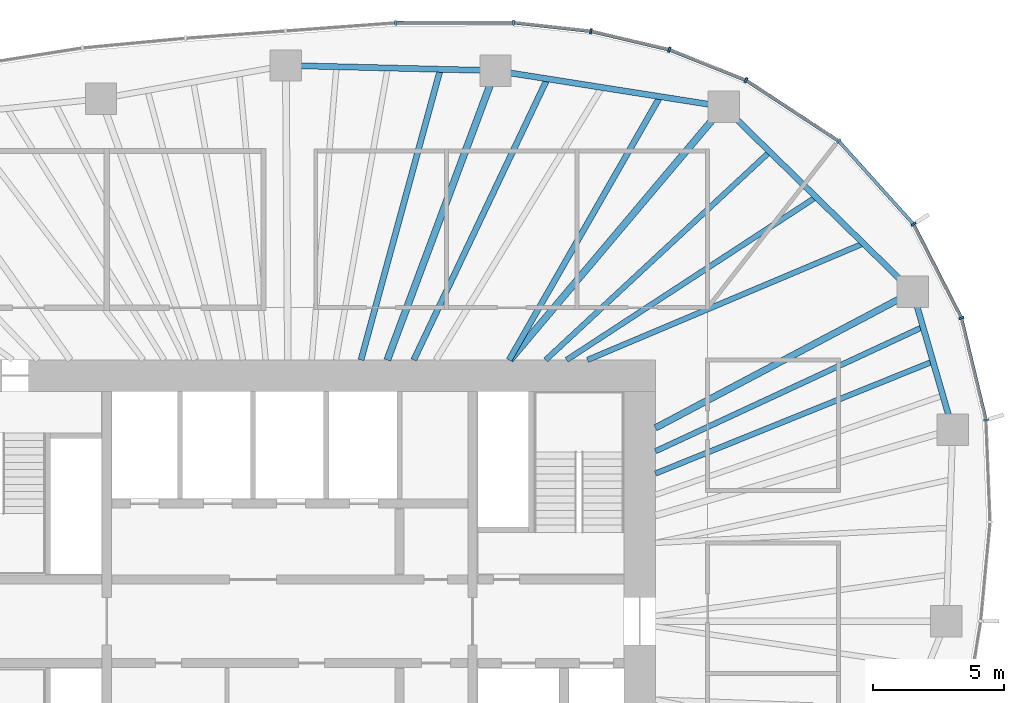
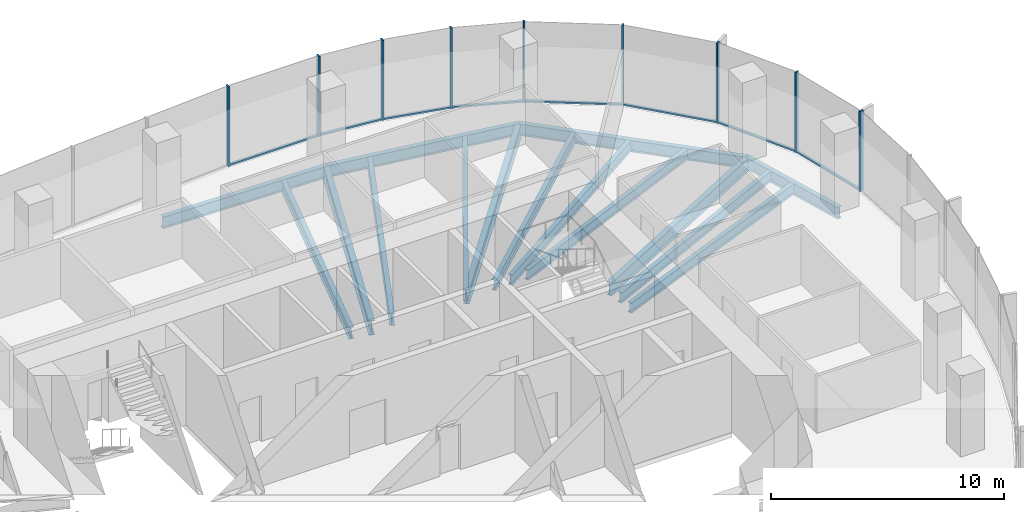
# One storey, part 6 of 11: 17 members, 15 beams, 4 elements without a shape of their own.
"""IFC4 building model written with IfcOpenShell, lengths in metres."""

from ifc_helpers import new_model, si_unit, direction, frame, origin, origin_2d, place, context, subcontext, project, spatial, rectangle, i_section, extrude, material, material_profile, profile_set, type_object, element, aggregate, save


model = new_model("IFC4")

# Units and contexts
model_context = context("Model", 3, precision=1e-05, world=origin(), true_north=direction((0.0, 1.0)))
body_context = subcontext(model_context, "Body", "Model", "MODEL_VIEW")
ifc_project = project(units=[si_unit("LENGTHUNIT", "METRE"), si_unit("AREAUNIT", "SQUARE_METRE"), si_unit("VOLUMEUNIT", "CUBIC_METRE"), si_unit("PLANEANGLEUNIT", "RADIAN"), si_unit("MASSUNIT", "GRAM", prefix="KILO")], contexts=[model_context])

# Site, building, storey
site_placement = place(None, origin())
site = spatial("IfcSite", under=ifc_project, at=site_placement, CompositionType="ELEMENT")
building_placement = place(site_placement, origin())
building = spatial("IfcBuilding", under=site, at=building_placement, Name="Ghaith Harvest Tower", CompositionType="ELEMENT")
storey_placement = place(building_placement, frame((0.0, 0.0, 245.199951171875)))
storey = spatial("IfcBuildingStorey", under=building, at=storey_placement, Name="L54", CompositionType="ELEMENT", Elevation=245.199951171875)

# Curtain wall, members
ifc_material_1 = material(Name="Black anodised aluminium and fritted glass", Category="aluminium")
curtain_wall_type = type_object("IfcCurtainWallType", Name="CW-H CURTAIN WALL", PredefinedType="NOTDEFINED", material=ifc_material_1)
curtain_wall_1_placement = place(storey_placement, origin())
curtain_wall_1 = element("IfcCurtainWall", 1, at=curtain_wall_1_placement, inside=storey, type_object=curtain_wall_type, Name="Curtain wall CW-H bay 02 L54", PredefinedType="NOTDEFINED")
ifc_material_2 = material(Name="Aluminium, black anodised", Category="aluminium")
ifc_material_profile_1 = material_profile(ifc_material_2, rectangle(XDim=0.080078125, YDim=0.199951171875, at=origin_2d()), Name="CW-H MULLION 80x200")
ifc_profile_set_1 = profile_set([ifc_material_profile_1], Name="Aluminium, black anodised")
member_type_1 = type_object("IfcMemberType", Name="CW-H MULLION 80x200", PredefinedType="MULLION", material=ifc_profile_set_1)
member_1_placement = place(storey_placement, frame((26.646484375, 7.701416015625, 0.0), z_axis=(0.0, 0.0, 1.0), x_axis=(-0.139146256981, 0.990271841046, 0.0)))
member_1 = element("IfcMember", 2, at=member_1_placement, type_object=member_type_1, Name="CW-H mullion 1 bay 02 L54", PredefinedType="MULLION", context=body_context, shape_type="SweptSolid", body=[
    extrude(rectangle(XDim=0.080078125, YDim=0.199951171875, at=origin_2d()), origin(), (0.0, 0.0, 1.0), 4.199951171875),
])
member_2_placement = place(storey_placement, frame((25.707275390625, 11.60546875, 0.0), z_axis=(0.0, 0.0, 1.0), x_axis=(-0.347012123561, 0.93786064322, 0.0)))
member_2 = element("IfcMember", 3, at=member_2_placement, type_object=member_type_1, Name="CW-H mullion 2 bay 02 L54", PredefinedType="MULLION", context=body_context, shape_type="SweptSolid", body=[
    extrude(rectangle(XDim=0.080078125, YDim=0.199951171875, at=origin_2d()), origin(), (0.0, 0.0, 1.0), 4.199951171875),
])

curtain_wall_2_placement = place(storey_placement, origin())
curtain_wall_2 = element("IfcCurtainWall", 4, at=curtain_wall_2_placement, inside=storey, type_object=curtain_wall_type, Name="Curtain wall CW-H bay 03 L54", PredefinedType="NOTDEFINED")
member_3_placement = place(storey_placement, frame((23.874267578125, 15.19384765625, 0.0), z_axis=(0.0, 0.0, 1.0), x_axis=(-0.569847382909, 0.821750546207, 0.0)))
member_3 = element("IfcMember", 5, at=member_3_placement, type_object=member_type_1, Name="CW-H mullion 1 bay 03 L54", PredefinedType="MULLION", context=body_context, shape_type="SweptSolid", body=[
    extrude(rectangle(XDim=0.080078125, YDim=0.199951171875, at=origin_2d()), origin(), (0.0, 0.0, 1.0), 4.199951171875),
])
member_4_placement = place(storey_placement, frame((21.013427734375, 18.374267578125, 0.0), z_axis=(0.0, 0.0, 1.0), x_axis=(-0.758541332755, 0.651624927778, 0.0)))
member_4 = element("IfcMember", 6, at=member_4_placement, type_object=member_type_1, Name="CW-H mullion 2 bay 03 L54", PredefinedType="MULLION", context=body_context, shape_type="SweptSolid", body=[
    extrude(rectangle(XDim=0.080078125, YDim=0.199951171875, at=origin_2d()), origin(), (0.0, 0.0, 1.0), 4.199951171875),
])

curtain_wall_3_placement = place(storey_placement, origin())
curtain_wall_3 = element("IfcCurtainWall", 7, at=curtain_wall_3_placement, inside=storey, type_object=curtain_wall_type, Name="Curtain wall CW-H bay 04 L54", PredefinedType="NOTDEFINED")
member_5_placement = place(storey_placement, frame((17.45947265625, 20.704345703125, 0.0), z_axis=(0.0, 0.0, 1.0), x_axis=(-0.880203412003, 0.474596621878, 0.0)))
member_5 = element("IfcMember", 8, at=member_5_placement, type_object=member_type_1, Name="CW-H mullion 1 bay 04 L54", PredefinedType="MULLION", context=body_context, shape_type="SweptSolid", body=[
    extrude(rectangle(XDim=0.080078125, YDim=0.199951171875, at=origin_2d()), origin(), (0.0, 0.0, 1.0), 4.199951171875),
])
member_6_placement = place(storey_placement, frame((14.52734375, 21.871337890625, 0.0), z_axis=(0.0, 0.0, 1.0), x_axis=(-0.953502908871, 0.30138381306, 0.0)))
member_6 = element("IfcMember", 9, at=member_6_placement, type_object=member_type_1, Name="CW-H mullion 2 bay 04 L54", PredefinedType="MULLION", context=body_context, shape_type="SweptSolid", body=[
    extrude(rectangle(XDim=0.080078125, YDim=0.199951171875, at=origin_2d()), origin(), (0.0, 0.0, 1.0), 4.199951171875),
])
member_7_placement = place(storey_placement, frame((11.527099609375, 22.579345703125, 0.0), z_axis=(0.0, 0.0, 1.0), x_axis=(-0.985193373388, 0.171446834417, 0.0)))
member_7 = element("IfcMember", 10, at=member_7_placement, type_object=member_type_1, Name="CW-H mullion 3 bay 04 L54", PredefinedType="MULLION", context=body_context, shape_type="SweptSolid", body=[
    extrude(rectangle(XDim=0.080078125, YDim=0.199951171875, at=origin_2d()), origin(), (0.0, 0.0, 1.0), 4.199951171875),
])

curtain_wall_4_placement = place(storey_placement, origin())
curtain_wall_4 = element("IfcCurtainWall", 11, at=curtain_wall_4_placement, inside=storey, type_object=curtain_wall_type, Name="Curtain wall CW-H bay 05 L54", PredefinedType="NOTDEFINED")
member_8_placement = place(storey_placement, frame((8.564208984375, 22.9091796875, 0.0), z_axis=(0.0, 0.0, 1.0), x_axis=(-0.999083519493, 0.042803283493, 0.0)))
member_8 = element("IfcMember", 12, at=member_8_placement, type_object=member_type_1, Name="CW-H mullion 1 bay 05 L54", PredefinedType="MULLION", context=body_context, shape_type="SweptSolid", body=[
    extrude(rectangle(XDim=0.080078125, YDim=0.199951171875, at=origin_2d()), origin(), (0.0, 0.0, 1.0), 4.199951171875),
])
member_9_placement = place(storey_placement, frame((4.0595703125, 22.8994140625, 0.0), z_axis=(0.0, 0.0, 1.0), x_axis=(-0.999332779724, -0.036523901335, 0.0)))
member_9 = element("IfcMember", 13, at=member_9_placement, type_object=member_type_1, Name="CW-H mullion 2 bay 05 L54", PredefinedType="MULLION", context=body_context, shape_type="SweptSolid", body=[
    extrude(rectangle(XDim=0.080078125, YDim=0.199951171875, at=origin_2d()), origin(), (0.0, 0.0, 1.0), 4.199951171875),
])

# Member
ifc_material_3 = material(Name="Aluminium, black anodised", Category="aluminium")
ifc_material_profile_2 = material_profile(ifc_material_3, rectangle(XDim=0.1298828125, YDim=0.080078125, at=origin_2d()), Name="CW-H TRANSOM 130x80")
ifc_profile_set_2 = profile_set([ifc_material_profile_2], Name="Aluminium, black anodised")
member_type_2 = type_object("IfcMemberType", Name="CW-H TRANSOM 130x80", PredefinedType="USERDEFINED", material=ifc_profile_set_2)
member_10_placement = place(storey_placement, frame((26.636962890625, 7.740234375, 0.0400390625), z_axis=(-0.233870324689, 0.972267798104, 0.0), x_axis=(-0.972267798104, -0.233870324689, 0.0)))
member_10 = element("IfcMember", 14, at=member_10_placement, type_object=member_type_2, Name="CW-H transom 1 bay 02 L54", ObjectType="TRANSOM", PredefinedType="USERDEFINED", context=body_context, shape_type="SweptSolid", body=[
    extrude(rectangle(XDim=0.1298828125, YDim=0.080078125, at=origin_2d()), origin(), (0.0, 0.0, 1.0), 3.935546875),
])

member_11_placement = place(storey_placement, frame((25.68896484375, 11.64111328125, 0.0400390625), z_axis=(-0.454911728312, 0.890536534592, 0.0), x_axis=(-0.890536534592, -0.454911728312, 0.0)))
member_11 = element("IfcMember", 15, at=member_11_placement, type_object=member_type_2, Name="CW-H transom 2 bay 02 L54", ObjectType="TRANSOM", PredefinedType="USERDEFINED", context=body_context, shape_type="SweptSolid", body=[
    extrude(rectangle(XDim=0.1298828125, YDim=0.080078125, at=origin_2d()), origin(), (0.0, 0.0, 1.0), 3.949462890625),
])

aggregate(curtain_wall_1, [member_1, member_10, member_2, member_11])

member_12_placement = place(storey_placement, frame((23.847412109375, 15.223388671875, 0.0400390625), z_axis=(-0.668752638518, 0.743484975286, 0.0), x_axis=(-0.743484975286, -0.668752638518, 0.0)))
member_12 = element("IfcMember", 16, at=member_12_placement, type_object=member_type_2, Name="CW-H transom 1 bay 03 L54", ObjectType="TRANSOM", PredefinedType="USERDEFINED", context=body_context, shape_type="SweptSolid", body=[
    extrude(rectangle(XDim=0.1298828125, YDim=0.080078125, at=origin_2d()), origin(), (0.0, 0.0, 1.0), 4.197998046875),
])

member_13_placement = place(storey_placement, frame((20.97998046875, 18.39599609375, 0.0400390625), z_axis=(-0.836268574396, 0.548320044753, 0.0), x_axis=(-0.548320044753, -0.836268574396, 0.0)))
member_13 = element("IfcMember", 17, at=member_13_placement, type_object=member_type_2, Name="CW-H transom 2 bay 03 L54", ObjectType="TRANSOM", PredefinedType="USERDEFINED", context=body_context, shape_type="SweptSolid", body=[
    extrude(rectangle(XDim=0.1298828125, YDim=0.080078125, at=origin_2d()), origin(), (0.0, 0.0, 1.0), 4.169677734375),
])

aggregate(curtain_wall_2, [member_3, member_12, member_4, member_13])

member_14_placement = place(storey_placement, frame((17.42236328125, 20.71923828125, 0.0400390625), z_axis=(-0.929115751434, 0.369789021521, 0.0), x_axis=(-0.369789021521, -0.929115751434, 0.0)))
member_14 = element("IfcMember", 18, at=member_14_placement, type_object=member_type_2, Name="CW-H transom 1 bay 04 L54", ObjectType="TRANSOM", PredefinedType="USERDEFINED", context=body_context, shape_type="SweptSolid", body=[
    extrude(rectangle(XDim=0.1298828125, YDim=0.080078125, at=origin_2d()), origin(), (0.0, 0.0, 1.0), 3.075927734375),
])

member_15_placement = place(storey_placement, frame((14.48828125, 21.880615234375, 0.0400390625), z_axis=(-0.97325803677, 0.229714592186, 0.0), x_axis=(-0.229714592186, -0.97325803677, 0.0)))
member_15 = element("IfcMember", 19, at=member_15_placement, type_object=member_type_2, Name="CW-H transom 2 bay 04 L54", ObjectType="TRANSOM", PredefinedType="USERDEFINED", context=body_context, shape_type="SweptSolid", body=[
    extrude(rectangle(XDim=0.1298828125, YDim=0.080078125, at=origin_2d()), origin(), (0.0, 0.0, 1.0), 3.00244140625),
])

member_16_placement = place(storey_placement, frame((11.4873046875, 22.583984375, 0.0400390625), z_axis=(-0.993867303252, 0.110579308762, 0.0), x_axis=(-0.110579308762, -0.993867303252, 0.0)))
member_16 = element("IfcMember", 20, at=member_16_placement, type_object=member_type_2, Name="CW-H transom 3 bay 04 L54", ObjectType="TRANSOM", PredefinedType="USERDEFINED", context=body_context, shape_type="SweptSolid", body=[
    extrude(rectangle(XDim=0.1298828125, YDim=0.080078125, at=origin_2d()), origin(), (0.0, 0.0, 1.0), 2.901123046875),
])

aggregate(curtain_wall_3, [member_5, member_14, member_6, member_15, member_7, member_16])

member_17_placement = place(storey_placement, frame((8.524169921875, 22.9091796875, 0.0400390625), z_axis=(-0.999997564275, -0.002207134722, 0.0), x_axis=(0.002207134722, -0.999997564275, 0.0)))
member_17 = element("IfcMember", 21, at=member_17_placement, type_object=member_type_2, Name="CW-H transom 1 bay 05 L54", ObjectType="TRANSOM", PredefinedType="USERDEFINED", context=body_context, shape_type="SweptSolid", body=[
    extrude(rectangle(XDim=0.1298828125, YDim=0.080078125, at=origin_2d()), origin(), (0.0, 0.0, 1.0), 4.424560546875),
])

aggregate(curtain_wall_4, [member_8, member_17, member_9])

# Beams
ifc_material_4 = material(Name="Steel ASTM A992 Grade 50", Category="steel")
ifc_material_profile_3 = material_profile(ifc_material_4, i_section(OverallWidth=0.22900390625, OverallDepth=0.612060546875, WebThickness=0.011962890625, FlangeThickness=0.01953125, at=origin_2d()), Name="W610X125")
ifc_profile_set_3 = profile_set([ifc_material_profile_3], Name="Steel ASTM A992 Grade 50")
beam_type_1 = type_object("IfcBeamType", Name="E610-125 W610X125", PredefinedType="SPANDREL", material=ifc_profile_set_3)
beam_1_placement = place(storey_placement, frame((25.3779296875, 7.3349609375, -0.475830078125), z_axis=(-0.278021352648, 0.960574894254, 0.0), x_axis=(-0.960574894254, -0.278021352648, 0.0)))
element("IfcBeam", 22, at=beam_1_placement, inside=storey, type_object=beam_type_1, Name="Edge beam E02 L54", PredefinedType="SPANDREL", context=body_context, shape_type="SweptSolid", body=[
    extrude(i_section(OverallWidth=0.22900390625, OverallDepth=0.612060546875, WebThickness=0.011962890625, FlangeThickness=0.01953125, at=origin_2d()), origin(), (0.0, 0.0, 1.0), 5.48828125),
])
beam_2_placement = place(storey_placement, frame((23.85205078125, 12.60693359375, -0.475830078125), z_axis=(-0.714761249388, 0.699368541166, 0.0), x_axis=(-0.699368541166, -0.714761249388, 0.0)))
element("IfcBeam", 23, at=beam_2_placement, inside=storey, type_object=beam_type_1, Name="Edge beam E03 L54", PredefinedType="SPANDREL", context=body_context, shape_type="SweptSolid", body=[
    extrude(i_section(OverallWidth=0.22900390625, OverallDepth=0.612060546875, WebThickness=0.011962890625, FlangeThickness=0.01953125, at=origin_2d()), origin(), (0.0, 0.0, 1.0), 10.135009765625),
])
beam_3_placement = place(storey_placement, frame((16.60791015625, 19.695068359375, -0.475830078125), z_axis=(-0.987788485872, 0.155800857439, 0.0), x_axis=(-0.155800857439, -0.987788485872, 0.0)))
element("IfcBeam", 24, at=beam_3_placement, inside=storey, type_object=beam_type_1, Name="Edge beam E04 L54", PredefinedType="SPANDREL", context=body_context, shape_type="SweptSolid", body=[
    extrude(i_section(OverallWidth=0.22900390625, OverallDepth=0.612060546875, WebThickness=0.011962890625, FlangeThickness=0.01953125, at=origin_2d()), origin(), (0.0, 0.0, 1.0), 8.837890625),
])
beam_4_placement = place(storey_placement, frame((7.8779296875, 21.072021484375, -0.475830078125), z_axis=(-0.999692679676, 0.024790042413, 0.0), x_axis=(-0.024790042413, -0.999692679676, 0.0)))
element("IfcBeam", 25, at=beam_4_placement, inside=storey, type_object=beam_type_1, Name="Edge beam E05 L54", PredefinedType="SPANDREL", context=body_context, shape_type="SweptSolid", body=[
    extrude(i_section(OverallWidth=0.22900390625, OverallDepth=0.612060546875, WebThickness=0.011962890625, FlangeThickness=0.01953125, at=origin_2d()), origin(), (0.0, 0.0, 1.0), 8.0263671875),
])
ifc_material_5 = material(Name="Steel ASTM A992 Grade 50", Category="steel")
ifc_material_profile_4 = material_profile(ifc_material_5, i_section(OverallWidth=0.256103515625, OverallDepth=0.693115234375, WebThickness=0.014404296875, FlangeThickness=0.023681640625, at=origin_2d()), Name="W690X170")
ifc_profile_set_4 = profile_set([ifc_material_profile_4], Name="Steel ASTM A992 Grade 50")
beam_type_2 = type_object("IfcBeamType", Name="G690-170 W690X170", PredefinedType="BEAM", material=ifc_profile_set_4)
beam_5_placement = place(storey_placement, frame((14.0, 7.39990234375, -0.516357421875), z_axis=(0.884112784119, 0.467273565438, 0.0), x_axis=(-0.467273565438, 0.884112784119, 0.0)))
element("IfcBeam", 26, at=beam_5_placement, inside=storey, type_object=beam_type_2, Name="Radial girder G03 L54", PredefinedType="BEAM", context=body_context, shape_type="SweptSolid", body=[
    extrude(i_section(OverallWidth=0.256103515625, OverallDepth=0.693115234375, WebThickness=0.014404296875, FlangeThickness=0.023681640625, at=origin_2d()), origin(), (0.0, 0.0, 1.0), 11.143310546875),
])
ifc_material_6 = material(Name="Steel ASTM A992 Grade 50", Category="steel")
ifc_material_profile_5 = material_profile(ifc_material_6, i_section(OverallWidth=0.26806640625, OverallDepth=0.77001953125, WebThickness=0.015625, FlangeThickness=0.025390625, at=origin_2d()), Name="W760X196")
ifc_profile_set_5 = profile_set([ifc_material_profile_5], Name="Steel ASTM A992 Grade 50")
beam_type_3 = type_object("IfcBeamType", Name="G760-196 W760X196", PredefinedType="BEAM", material=ifc_profile_set_5)
beam_6_placement = place(storey_placement, frame((8.4326171875, 10.0, -0.554931640625), z_axis=(0.644644245772, 0.764482698557, 0.0), x_axis=(-0.764482698557, 0.644644245772, 0.0)))
element("IfcBeam", 27, at=beam_6_placement, inside=storey, type_object=beam_type_3, Name="Radial girder G04 L54", PredefinedType="BEAM", context=body_context, shape_type="SweptSolid", body=[
    extrude(i_section(OverallWidth=0.26806640625, OverallDepth=0.77001953125, WebThickness=0.015625, FlangeThickness=0.025390625, at=origin_2d()), origin(), (0.0, 0.0, 1.0), 12.681884765625),
])
beam_7_placement = place(storey_placement, frame((3.73828125, 10.0, -0.554931640625), z_axis=(0.350206582147, 0.936672488024, 0.0), x_axis=(-0.936672488024, 0.350206582147, 0.0)))
element("IfcBeam", 28, at=beam_7_placement, inside=storey, type_object=beam_type_3, Name="Radial girder G05 L54", PredefinedType="BEAM", context=body_context, shape_type="SweptSolid", body=[
    extrude(i_section(OverallWidth=0.26806640625, OverallDepth=0.77001953125, WebThickness=0.015625, FlangeThickness=0.025390625, at=origin_2d()), origin(), (0.0, 0.0, 1.0), 11.820556640625),
])
ifc_material_7 = material(Name="Steel ASTM A992 Grade 50", Category="steel")
ifc_material_profile_6 = material_profile(ifc_material_7, i_section(OverallWidth=0.2109375, OverallDepth=0.5390625, WebThickness=0.01171875, FlangeThickness=0.018798828125, at=origin_2d()), Name="W530X109")
ifc_profile_set_6 = profile_set([ifc_material_profile_6], Name="Steel ASTM A992 Grade 50")
beam_type_4 = type_object("IfcBeamType", Name="J530-109 W530X109", PredefinedType="JOIST", material=ifc_profile_set_6)
beam_8_placement = place(storey_placement, frame((14.0, 5.653564453125, -0.439453125), z_axis=(0.927250374508, 0.37444190868, 0.0), x_axis=(-0.37444190868, 0.927250374508, 0.0)))
element("IfcBeam", 29, at=beam_8_placement, inside=storey, type_object=beam_type_4, Name="Joist J02.2 L54", PredefinedType="JOIST", context=body_context, shape_type="SweptSolid", body=[
    extrude(i_section(OverallWidth=0.2109375, OverallDepth=0.5390625, WebThickness=0.01171875, FlangeThickness=0.018798828125, at=origin_2d()), origin(), (0.0, 0.0, 1.0), 11.45654296875),
])
beam_9_placement = place(storey_placement, frame((14.0, 6.506103515625, -0.439453125), z_axis=(0.906864105655, 0.421423176718, 0.0), x_axis=(-0.421423176718, 0.906864105655, 0.0)))
element("IfcBeam", 30, at=beam_9_placement, inside=storey, type_object=beam_type_4, Name="Joist J02.3 L54", PredefinedType="JOIST", context=body_context, shape_type="SweptSolid", body=[
    extrude(i_section(OverallWidth=0.2109375, OverallDepth=0.5390625, WebThickness=0.01171875, FlangeThickness=0.018798828125, at=origin_2d()), origin(), (0.0, 0.0, 1.0), 11.292236328125),
])
beam_10_placement = place(storey_placement, frame((11.39990234375, 10.0, -0.439453125), z_axis=(0.92127415213, 0.388913790727, 0.0), x_axis=(-0.388913790727, 0.92127415213, 0.0)))
element("IfcBeam", 31, at=beam_10_placement, inside=storey, type_object=beam_type_4, Name="Joist J03.1 L54", PredefinedType="JOIST", context=body_context, shape_type="SweptSolid", body=[
    extrude(i_section(OverallWidth=0.2109375, OverallDepth=0.5390625, WebThickness=0.01171875, FlangeThickness=0.018798828125, at=origin_2d()), origin(), (0.0, 0.0, 1.0), 11.462646484375),
])
beam_11_placement = place(storey_placement, frame((10.60009765625, 10.0, -0.439453125), z_axis=(0.837329320942, 0.546698827775, 0.0), x_axis=(-0.546698827775, 0.837329320942, 0.0)))
element("IfcBeam", 32, at=beam_11_placement, inside=storey, type_object=beam_type_4, Name="Joist J03.2 L54", PredefinedType="JOIST", context=body_context, shape_type="SweptSolid", body=[
    extrude(i_section(OverallWidth=0.2109375, OverallDepth=0.5390625, WebThickness=0.01171875, FlangeThickness=0.018798828125, at=origin_2d()), origin(), (0.0, 0.0, 1.0), 11.40087890625),
])
beam_12_placement = place(storey_placement, frame((9.800048828125, 10.0, -0.439453125), z_axis=(0.732519288302, 0.680746275984, 0.0), x_axis=(-0.680746275984, 0.732519288302, 0.0)))
element("IfcBeam", 33, at=beam_12_placement, inside=storey, type_object=beam_type_4, Name="Joist J03.3 L54", PredefinedType="JOIST", context=body_context, shape_type="SweptSolid", body=[
    extrude(i_section(OverallWidth=0.2109375, OverallDepth=0.5390625, WebThickness=0.01171875, FlangeThickness=0.018798828125, at=origin_2d()), origin(), (0.0, 0.0, 1.0), 11.7041015625),
])
ifc_material_8 = material(Name="Steel ASTM A992 Grade 50", Category="steel")
ifc_material_profile_7 = material_profile(ifc_material_8, i_section(OverallWidth=0.22900390625, OverallDepth=0.612060546875, WebThickness=0.011962890625, FlangeThickness=0.01953125, at=origin_2d()), Name="W610X125")
ifc_profile_set_7 = profile_set([ifc_material_profile_7], Name="Steel ASTM A992 Grade 50")
beam_type_5 = type_object("IfcBeamType", Name="J610-125 W610X125", PredefinedType="JOIST", material=ifc_profile_set_7)
beam_13_placement = place(storey_placement, frame((8.39990234375, 10.0, -0.475830078125), z_axis=(0.497444212127, 0.867495968764, 0.0), x_axis=(-0.867495968764, 0.497444212127, 0.0)))
element("IfcBeam", 34, at=beam_13_placement, inside=storey, type_object=beam_type_5, Name="Joist J04.1 L54", PredefinedType="JOIST", context=body_context, shape_type="SweptSolid", body=[
    extrude(i_section(OverallWidth=0.22900390625, OverallDepth=0.612060546875, WebThickness=0.011962890625, FlangeThickness=0.01953125, at=origin_2d()), origin(), (0.0, 0.0, 1.0), 11.617431640625),
])
beam_14_placement = place(storey_placement, frame((4.75, 10.0, -0.475830078125), z_axis=(0.429069356877, 0.903271546651, 0.0), x_axis=(-0.903271546651, 0.429069356877, 0.0)))
element("IfcBeam", 35, at=beam_14_placement, inside=storey, type_object=beam_type_5, Name="Joist J04.3 L54", PredefinedType="JOIST", context=body_context, shape_type="SweptSolid", body=[
    extrude(i_section(OverallWidth=0.22900390625, OverallDepth=0.612060546875, WebThickness=0.011962890625, FlangeThickness=0.01953125, at=origin_2d()), origin(), (0.0, 0.0, 1.0), 11.911376953125),
])
beam_15_placement = place(storey_placement, frame((2.73095703125, 10.0, -0.475830078125), z_axis=(0.263455967932, 0.964671422279, 0.0), x_axis=(-0.964671422279, 0.263455967932, 0.0)))
element("IfcBeam", 36, at=beam_15_placement, inside=storey, type_object=beam_type_5, Name="Joist J05.1 L54", PredefinedType="JOIST", context=body_context, shape_type="SweptSolid", body=[
    extrude(i_section(OverallWidth=0.22900390625, OverallDepth=0.612060546875, WebThickness=0.011962890625, FlangeThickness=0.01953125, at=origin_2d()), origin(), (0.0, 0.0, 1.0), 11.53173828125),
])

save(model, "model.ifc")
